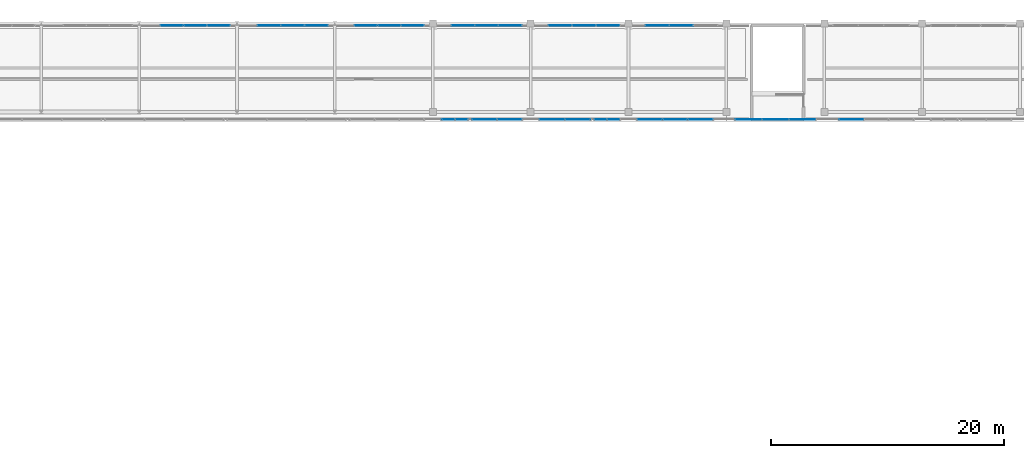
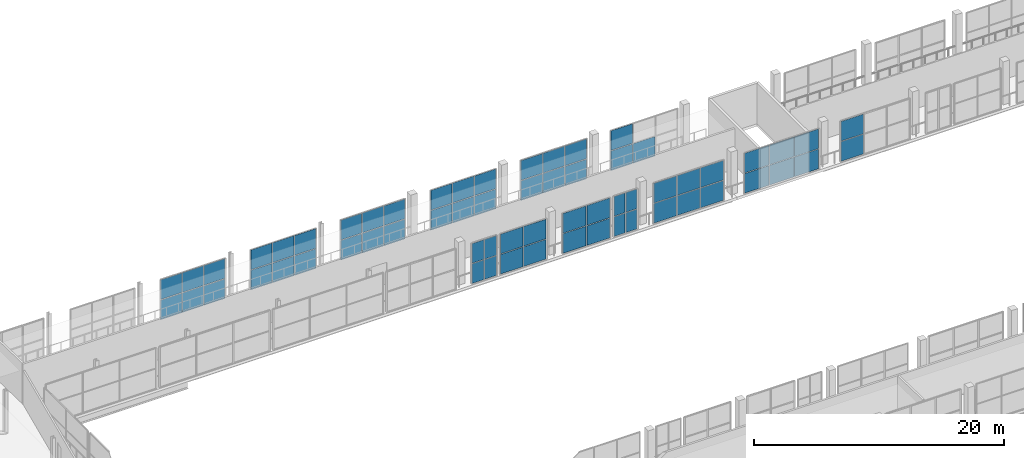
# One storey, part 118 of 151: 63 plates, 13 elements without a shape of their own.
"""IFC4 building model written with IfcOpenShell, lengths in metres."""

from ifc_helpers import new_model, si_unit, direction, frame, origin, origin_2d, place, context, subcontext, project, spatial, rectangle, extrude, material, layer, layer_set, type_object, element, aggregate, save


model = new_model("IFC4")

# Units and contexts
model_context = context("Model", 3, precision=1e-05, world=origin(), true_north=direction((0.0, 1.0)))
body_context = subcontext(model_context, "Body", "Model", "MODEL_VIEW")
ifc_project = project(units=[si_unit("LENGTHUNIT", "METRE"), si_unit("AREAUNIT", "SQUARE_METRE"), si_unit("VOLUMEUNIT", "CUBIC_METRE"), si_unit("PLANEANGLEUNIT", "RADIAN"), si_unit("MASSUNIT", "GRAM", prefix="KILO")], contexts=[model_context])

# Site, building, storey
site_placement = place(None, origin())
site = spatial("IfcSite", under=ifc_project, at=site_placement, CompositionType="ELEMENT")
building_placement = place(site_placement, origin())
building = spatial("IfcBuilding", under=site, at=building_placement, Name="Zuvorla Pavilion Media Centre", CompositionType="ELEMENT")
storey_placement = place(building_placement, frame((0.0, 0.0, 13.800048828125)))
storey = spatial("IfcBuildingStorey", under=building, at=storey_placement, Name="L03", CompositionType="ELEMENT", Elevation=13.800048828125)

# Curtain wall, plates
ifc_material_1 = material(Name="Unitised anodised aluminium and solar glass curtain wall", Category="aluminium")
curtain_wall_type_1 = type_object("IfcCurtainWallType", Name="CW-SYS-64", PredefinedType="USERDEFINED", material=ifc_material_1)
curtain_wall_1_placement = place(storey_placement, origin())
curtain_wall_1 = element("IfcCurtainWall", 1, at=curtain_wall_1_placement, inside=storey, type_object=curtain_wall_type_1, Name="L03 curtain wall CW64 115", ObjectType="CURTAIN WALL", PredefinedType="USERDEFINED")
ifc_material_2 = material(Name="Solar control double glazing", Category="glass")
ifc_layer_1 = layer(ifc_material_2, 0.028076171875)
ifc_layer_set_1 = layer_set([ifc_layer_1], Name="Solar control double glazing")
plate_type_1 = type_object("IfcPlateType", Name="CW-PNL-28", PredefinedType="CURTAIN_PANEL", material=ifc_layer_set_1)
plate_1_placement = place(storey_placement, frame((73.44384765625, 89.43994140625, 0.030029296875), z_axis=(0.0, 0.0, 1.0), x_axis=(-1.0, 0.0, 0.0)))
plate_1 = element("IfcPlate", 2, at=plate_1_placement, type_object=plate_type_1, Name="CW64 panel 1.1", PredefinedType="CURTAIN_PANEL", context=body_context, shape_type="SweptSolid", body=[
    extrude(rectangle(XDim=1.963623046875, YDim=0.028076171875, at=origin_2d()), origin(), (0.0, 0.0, 1.0), 1.919921875),
])
plate_2_placement = place(storey_placement, frame((73.44384765625, 89.43994140625, 2.010009765625), z_axis=(0.0, 0.0, 1.0), x_axis=(-1.0, 0.0, 0.0)))
plate_2 = element("IfcPlate", 3, at=plate_2_placement, type_object=plate_type_1, Name="CW64 panel 1.2", PredefinedType="CURTAIN_PANEL", context=body_context, shape_type="SweptSolid", body=[
    extrude(rectangle(XDim=1.963623046875, YDim=0.028076171875, at=origin_2d()), origin(), (0.0, 0.0, 1.0), 1.919921875),
])
plate_3_placement = place(storey_placement, frame((71.42041015625, 89.43994140625, 0.030029296875), z_axis=(0.0, 0.0, 1.0), x_axis=(-1.0, 0.0, 0.0)))
plate_3 = element("IfcPlate", 4, at=plate_3_placement, type_object=plate_type_1, Name="CW64 panel 2.1", PredefinedType="CURTAIN_PANEL", context=body_context, shape_type="SweptSolid", body=[
    extrude(rectangle(XDim=1.963623046875, YDim=0.028076171875, at=origin_2d()), origin(), (0.0, 0.0, 1.0), 1.919921875),
])
plate_4_placement = place(storey_placement, frame((71.42041015625, 89.43994140625, 2.010009765625), z_axis=(0.0, 0.0, 1.0), x_axis=(-1.0, 0.0, 0.0)))
plate_4 = element("IfcPlate", 5, at=plate_4_placement, type_object=plate_type_1, Name="CW64 panel 2.2", PredefinedType="CURTAIN_PANEL", context=body_context, shape_type="SweptSolid", body=[
    extrude(rectangle(XDim=1.963623046875, YDim=0.028076171875, at=origin_2d()), origin(), (0.0, 0.0, 1.0), 1.919921875),
])
plate_5_placement = place(storey_placement, frame((69.396728515625, 89.43994140625, 0.030029296875), z_axis=(0.0, 0.0, 1.0), x_axis=(-1.0, 0.0, 0.0)))
plate_5 = element("IfcPlate", 6, at=plate_5_placement, type_object=plate_type_1, Name="CW64 panel 3.1", PredefinedType="CURTAIN_PANEL", context=body_context, shape_type="SweptSolid", body=[
    extrude(rectangle(XDim=1.963623046875, YDim=0.028076171875, at=origin_2d()), origin(), (0.0, 0.0, 1.0), 1.919921875),
])
plate_6_placement = place(storey_placement, frame((69.396728515625, 89.43994140625, 2.010009765625), z_axis=(0.0, 0.0, 1.0), x_axis=(-1.0, 0.0, 0.0)))
plate_6 = element("IfcPlate", 7, at=plate_6_placement, type_object=plate_type_1, Name="CW64 panel 3.2", PredefinedType="CURTAIN_PANEL", context=body_context, shape_type="SweptSolid", body=[
    extrude(rectangle(XDim=1.963623046875, YDim=0.028076171875, at=origin_2d()), origin(), (0.0, 0.0, 1.0), 1.919921875),
])
aggregate(curtain_wall_1, [plate_1, plate_2, plate_3, plate_4, plate_5, plate_6])

curtain_wall_type_2 = type_object("IfcCurtainWallType", Name="CW-SYS-66", PredefinedType="USERDEFINED", material=ifc_material_1)
curtain_wall_2_placement = place(storey_placement, origin())
curtain_wall_2 = element("IfcCurtainWall", 8, at=curtain_wall_2_placement, inside=storey, type_object=curtain_wall_type_2, Name="L03 curtain wall CW66 118", ObjectType="CURTAIN WALL", PredefinedType="USERDEFINED")
plate_7_placement = place(storey_placement, frame((48.416748046875, 89.43994140625, 0.030029296875), z_axis=(0.0, 0.0, 1.0), x_axis=(-1.0, 0.0, 0.0)))
plate_7 = element("IfcPlate", 9, at=plate_7_placement, type_object=plate_type_1, Name="CW66 panel 1.1", PredefinedType="CURTAIN_PANEL", context=body_context, shape_type="SweptSolid", body=[
    extrude(rectangle(XDim=1.942626953125, YDim=0.028076171875, at=origin_2d()), origin(), (0.0, 0.0, 1.0), 1.919921875),
])
plate_8_placement = place(storey_placement, frame((48.416748046875, 89.43994140625, 2.010009765625), z_axis=(0.0, 0.0, 1.0), x_axis=(-1.0, 0.0, 0.0)))
plate_8 = element("IfcPlate", 10, at=plate_8_placement, type_object=plate_type_1, Name="CW66 panel 1.2", PredefinedType="CURTAIN_PANEL", context=body_context, shape_type="SweptSolid", body=[
    extrude(rectangle(XDim=1.942626953125, YDim=0.028076171875, at=origin_2d()), origin(), (0.0, 0.0, 1.0), 1.919921875),
])
plate_9_placement = place(storey_placement, frame((46.4140625, 89.43994140625, 0.030029296875), z_axis=(0.0, 0.0, 1.0), x_axis=(-1.0, 0.0, 0.0)))
plate_9 = element("IfcPlate", 11, at=plate_9_placement, type_object=plate_type_1, Name="CW66 panel 2.1", PredefinedType="CURTAIN_PANEL", context=body_context, shape_type="SweptSolid", body=[
    extrude(rectangle(XDim=1.942626953125, YDim=0.028076171875, at=origin_2d()), origin(), (0.0, 0.0, 1.0), 1.919921875),
])
plate_10_placement = place(storey_placement, frame((46.4140625, 89.43994140625, 2.010009765625), z_axis=(0.0, 0.0, 1.0), x_axis=(-1.0, 0.0, 0.0)))
plate_10 = element("IfcPlate", 12, at=plate_10_placement, type_object=plate_type_1, Name="CW66 panel 2.2", PredefinedType="CURTAIN_PANEL", context=body_context, shape_type="SweptSolid", body=[
    extrude(rectangle(XDim=1.942626953125, YDim=0.028076171875, at=origin_2d()), origin(), (0.0, 0.0, 1.0), 1.919921875),
])
plate_11_placement = place(storey_placement, frame((44.411376953125, 89.43994140625, 0.030029296875), z_axis=(0.0, 0.0, 1.0), x_axis=(-1.0, 0.0, 0.0)))
plate_11 = element("IfcPlate", 13, at=plate_11_placement, type_object=plate_type_1, Name="CW66 panel 3.1", PredefinedType="CURTAIN_PANEL", context=body_context, shape_type="SweptSolid", body=[
    extrude(rectangle(XDim=1.942626953125, YDim=0.028076171875, at=origin_2d()), origin(), (0.0, 0.0, 1.0), 1.919921875),
])
plate_12_placement = place(storey_placement, frame((44.411376953125, 89.43994140625, 2.010009765625), z_axis=(0.0, 0.0, 1.0), x_axis=(-1.0, 0.0, 0.0)))
plate_12 = element("IfcPlate", 14, at=plate_12_placement, type_object=plate_type_1, Name="CW66 panel 3.2", PredefinedType="CURTAIN_PANEL", context=body_context, shape_type="SweptSolid", body=[
    extrude(rectangle(XDim=1.942626953125, YDim=0.028076171875, at=origin_2d()), origin(), (0.0, 0.0, 1.0), 1.919921875),
])
aggregate(curtain_wall_2, [plate_7, plate_8, plate_9, plate_10, plate_11, plate_12])

curtain_wall_type_3 = type_object("IfcCurtainWallType", Name="CW-SYS-81", PredefinedType="USERDEFINED", material=ifc_material_1)
curtain_wall_3_placement = place(storey_placement, origin())
curtain_wall_3 = element("IfcCurtainWall", 15, at=curtain_wall_3_placement, inside=storey, type_object=curtain_wall_type_3, Name="L03 curtain wall CW81 166", ObjectType="CURTAIN WALL", PredefinedType="USERDEFINED")
plate_13_placement = place(storey_placement, frame((89.75732421875, 81.360107421875, 0.030029296875), z_axis=(0.0, 0.0, 1.0), x_axis=(-1.0, 0.0, 0.0)))
plate_13 = element("IfcPlate", 16, at=plate_13_placement, type_object=plate_type_1, Name="CW81 panel 1.1", PredefinedType="CURTAIN_PANEL", context=body_context, shape_type="SweptSolid", body=[
    extrude(rectangle(XDim=2.105224609375, YDim=0.028076171875, at=origin_2d()), origin(), (0.0, 0.0, 1.0), 1.919921875),
])
plate_14_placement = place(storey_placement, frame((89.75732421875, 81.360107421875, 2.010009765625), z_axis=(0.0, 0.0, 1.0), x_axis=(-1.0, 0.0, 0.0)))
plate_14 = element("IfcPlate", 17, at=plate_14_placement, type_object=plate_type_1, Name="CW81 panel 1.2", PredefinedType="CURTAIN_PANEL", context=body_context, shape_type="SweptSolid", body=[
    extrude(rectangle(XDim=2.105224609375, YDim=0.028076171875, at=origin_2d()), origin(), (0.0, 0.0, 1.0), 1.919921875),
])
plate_15_placement = place(storey_placement, frame((87.592041015625, 81.360107421875, 0.030029296875), z_axis=(0.0, 0.0, 1.0), x_axis=(-1.0, 0.0, 0.0)))
plate_15 = element("IfcPlate", 18, at=plate_15_placement, type_object=plate_type_1, Name="CW81 panel 2.1", PredefinedType="CURTAIN_PANEL", context=body_context, shape_type="SweptSolid", body=[
    extrude(rectangle(XDim=2.105224609375, YDim=0.028076171875, at=origin_2d()), origin(), (0.0, 0.0, 1.0), 1.919921875),
])
plate_16_placement = place(storey_placement, frame((87.592041015625, 81.360107421875, 2.010009765625), z_axis=(0.0, 0.0, 1.0), x_axis=(-1.0, 0.0, 0.0)))
plate_16 = element("IfcPlate", 19, at=plate_16_placement, type_object=plate_type_1, Name="CW81 panel 2.2", PredefinedType="CURTAIN_PANEL", context=body_context, shape_type="SweptSolid", body=[
    extrude(rectangle(XDim=2.105224609375, YDim=0.028076171875, at=origin_2d()), origin(), (0.0, 0.0, 1.0), 1.919921875),
])
plate_17_placement = place(storey_placement, frame((85.427001953125, 81.360107421875, 0.030029296875), z_axis=(0.0, 0.0, 1.0), x_axis=(-1.0, 0.0, 0.0)))
plate_17 = element("IfcPlate", 20, at=plate_17_placement, type_object=plate_type_1, Name="CW81 panel 3.1", PredefinedType="CURTAIN_PANEL", context=body_context, shape_type="SweptSolid", body=[
    extrude(rectangle(XDim=2.105224609375, YDim=0.028076171875, at=origin_2d()), origin(), (0.0, 0.0, 1.0), 1.919921875),
])
plate_18_placement = place(storey_placement, frame((85.427001953125, 81.360107421875, 2.010009765625), z_axis=(0.0, 0.0, 1.0), x_axis=(-1.0, 0.0, 0.0)))
plate_18 = element("IfcPlate", 21, at=plate_18_placement, type_object=plate_type_1, Name="CW81 panel 3.2", PredefinedType="CURTAIN_PANEL", context=body_context, shape_type="SweptSolid", body=[
    extrude(rectangle(XDim=2.105224609375, YDim=0.028076171875, at=origin_2d()), origin(), (0.0, 0.0, 1.0), 1.919921875),
])
aggregate(curtain_wall_3, [plate_13, plate_14, plate_15, plate_16, plate_17, plate_18])

curtain_wall_type_4 = type_object("IfcCurtainWallType", Name="CW-SYS-37", PredefinedType="USERDEFINED", material=ifc_material_1)
curtain_wall_4_placement = place(storey_placement, origin())
curtain_wall_4 = element("IfcCurtainWall", 22, at=curtain_wall_4_placement, inside=storey, type_object=curtain_wall_type_4, Name="L03 curtain wall CW37 167", ObjectType="CURTAIN WALL", PredefinedType="USERDEFINED")
plate_19_placement = place(storey_placement, frame((82.306884765625, 81.360107421875, 0.030029296875), z_axis=(0.0, 0.0, 1.0), x_axis=(-1.0, 0.0, 0.0)))
plate_19 = element("IfcPlate", 23, at=plate_19_placement, type_object=plate_type_1, Name="CW37 panel 1.1", PredefinedType="CURTAIN_PANEL", context=body_context, shape_type="SweptSolid", body=[
    extrude(rectangle(XDim=1.037841796875, YDim=0.028076171875, at=origin_2d()), origin(), (0.0, 0.0, 1.0), 1.919921875),
])
plate_20_placement = place(storey_placement, frame((82.306884765625, 81.360107421875, 2.010009765625), z_axis=(0.0, 0.0, 1.0), x_axis=(-1.0, 0.0, 0.0)))
plate_20 = element("IfcPlate", 24, at=plate_20_placement, type_object=plate_type_1, Name="CW37 panel 1.2", PredefinedType="CURTAIN_PANEL", context=body_context, shape_type="SweptSolid", body=[
    extrude(rectangle(XDim=1.037841796875, YDim=0.028076171875, at=origin_2d()), origin(), (0.0, 0.0, 1.0), 1.919921875),
])
plate_21_placement = place(storey_placement, frame((81.208984375, 81.360107421875, 0.030029296875), z_axis=(0.0, 0.0, 1.0), x_axis=(-1.0, 0.0, 0.0)))
plate_21 = element("IfcPlate", 25, at=plate_21_placement, type_object=plate_type_1, Name="CW37 panel 2.1", PredefinedType="CURTAIN_PANEL", context=body_context, shape_type="SweptSolid", body=[
    extrude(rectangle(XDim=1.037841796875, YDim=0.028076171875, at=origin_2d()), origin(), (0.0, 0.0, 1.0), 1.919921875),
])
plate_22_placement = place(storey_placement, frame((81.208984375, 81.360107421875, 2.010009765625), z_axis=(0.0, 0.0, 1.0), x_axis=(-1.0, 0.0, 0.0)))
plate_22 = element("IfcPlate", 26, at=plate_22_placement, type_object=plate_type_1, Name="CW37 panel 2.2", PredefinedType="CURTAIN_PANEL", context=body_context, shape_type="SweptSolid", body=[
    extrude(rectangle(XDim=1.037841796875, YDim=0.028076171875, at=origin_2d()), origin(), (0.0, 0.0, 1.0), 1.919921875),
])
aggregate(curtain_wall_4, [plate_19, plate_20, plate_21, plate_22])

curtain_wall_type_5 = type_object("IfcCurtainWallType", Name="CW-SYS-20", PredefinedType="USERDEFINED", material=ifc_material_1)
curtain_wall_5_placement = place(storey_placement, origin())
curtain_wall_5 = element("IfcCurtainWall", 27, at=curtain_wall_5_placement, inside=storey, type_object=curtain_wall_type_5, Name="L03 curtain wall CW20 113", ObjectType="CURTAIN WALL", PredefinedType="USERDEFINED")
ifc_material_3 = material(Name="Acoustic laminated solar glazing", Category="glass")
ifc_layer_2 = layer(ifc_material_3, 0.033935546875)
ifc_layer_set_2 = layer_set([ifc_layer_2], Name="Acoustic laminated solar glazing")
plate_type_2 = type_object("IfcPlateType", Name="CW-PNL-34", PredefinedType="CURTAIN_PANEL", material=ifc_layer_set_2)
plate_23_placement = place(storey_placement, frame((88.145263671875, 89.43994140625, 0.030029296875), z_axis=(0.0, 0.0, 1.0), x_axis=(-1.0, 0.0, 0.0)))
plate_23 = element("IfcPlate", 28, at=plate_23_placement, type_object=plate_type_2, Name="CW20 panel 2.1", PredefinedType="CURTAIN_PANEL", context=body_context, shape_type="SweptSolid", body=[
    extrude(rectangle(XDim=2.013671875, YDim=0.033935546875, at=origin_2d()), origin(), (0.0, 0.0, 1.0), 1.919921875),
])
plate_24_placement = place(storey_placement, frame((86.07177734375, 89.43994140625, 0.030029296875), z_axis=(0.0, 0.0, 1.0), x_axis=(-1.0, 0.0, 0.0)))
plate_24 = element("IfcPlate", 29, at=plate_24_placement, type_object=plate_type_2, Name="CW20 panel 3.1", PredefinedType="CURTAIN_PANEL", context=body_context, shape_type="SweptSolid", body=[
    extrude(rectangle(XDim=2.013671875, YDim=0.033935546875, at=origin_2d()), origin(), (0.0, 0.0, 1.0), 1.919921875),
])
plate_25_placement = place(storey_placement, frame((86.07177734375, 89.43994140625, 2.010009765625), z_axis=(0.0, 0.0, 1.0), x_axis=(-1.0, 0.0, 0.0)))
plate_25 = element("IfcPlate", 30, at=plate_25_placement, type_object=plate_type_2, Name="CW20 panel 3.2", PredefinedType="CURTAIN_PANEL", context=body_context, shape_type="SweptSolid", body=[
    extrude(rectangle(XDim=2.013671875, YDim=0.033935546875, at=origin_2d()), origin(), (0.0, 0.0, 1.0), 1.919921875),
])
aggregate(curtain_wall_5, [plate_23, plate_24, plate_25])

curtain_wall_type_6 = type_object("IfcCurtainWallType", Name="CW-SYS-08", PredefinedType="USERDEFINED", material=ifc_material_1)
curtain_wall_6_placement = place(storey_placement, origin())
curtain_wall_6 = element("IfcCurtainWall", 31, at=curtain_wall_6_placement, inside=storey, type_object=curtain_wall_type_6, Name="L03 curtain wall CW08 116", ObjectType="CURTAIN WALL", PredefinedType="USERDEFINED")
plate_26_placement = place(storey_placement, frame((65.056396484375, 89.43994140625, 0.030029296875), z_axis=(0.0, 0.0, 1.0), x_axis=(-1.0, 0.0, 0.0)))
plate_26 = element("IfcPlate", 32, at=plate_26_placement, type_object=plate_type_2, Name="CW08 panel 1.1", PredefinedType="CURTAIN_PANEL", context=body_context, shape_type="SweptSolid", body=[
    extrude(rectangle(XDim=1.9384765625, YDim=0.033935546875, at=origin_2d()), origin(), (0.0, 0.0, 1.0), 1.919921875),
])
plate_27_placement = place(storey_placement, frame((65.056396484375, 89.43994140625, 2.010009765625), z_axis=(0.0, 0.0, 1.0), x_axis=(-1.0, 0.0, 0.0)))
plate_27 = element("IfcPlate", 33, at=plate_27_placement, type_object=plate_type_2, Name="CW08 panel 1.2", PredefinedType="CURTAIN_PANEL", context=body_context, shape_type="SweptSolid", body=[
    extrude(rectangle(XDim=1.9384765625, YDim=0.033935546875, at=origin_2d()), origin(), (0.0, 0.0, 1.0), 1.919921875),
])
plate_28_placement = place(storey_placement, frame((63.057861328125, 89.43994140625, 0.030029296875), z_axis=(0.0, 0.0, 1.0), x_axis=(-1.0, 0.0, 0.0)))
plate_28 = element("IfcPlate", 34, at=plate_28_placement, type_object=plate_type_2, Name="CW08 panel 2.1", PredefinedType="CURTAIN_PANEL", context=body_context, shape_type="SweptSolid", body=[
    extrude(rectangle(XDim=1.9384765625, YDim=0.033935546875, at=origin_2d()), origin(), (0.0, 0.0, 1.0), 1.919921875),
])
plate_29_placement = place(storey_placement, frame((63.057861328125, 89.43994140625, 2.010009765625), z_axis=(0.0, 0.0, 1.0), x_axis=(-1.0, 0.0, 0.0)))
plate_29 = element("IfcPlate", 35, at=plate_29_placement, type_object=plate_type_2, Name="CW08 panel 2.2", PredefinedType="CURTAIN_PANEL", context=body_context, shape_type="SweptSolid", body=[
    extrude(rectangle(XDim=1.9384765625, YDim=0.033935546875, at=origin_2d()), origin(), (0.0, 0.0, 1.0), 1.919921875),
])
plate_30_placement = place(storey_placement, frame((61.059326171875, 89.43994140625, 0.030029296875), z_axis=(0.0, 0.0, 1.0), x_axis=(-1.0, 0.0, 0.0)))
plate_30 = element("IfcPlate", 36, at=plate_30_placement, type_object=plate_type_2, Name="CW08 panel 3.1", PredefinedType="CURTAIN_PANEL", context=body_context, shape_type="SweptSolid", body=[
    extrude(rectangle(XDim=1.9384765625, YDim=0.033935546875, at=origin_2d()), origin(), (0.0, 0.0, 1.0), 1.919921875),
])
plate_31_placement = place(storey_placement, frame((61.059326171875, 89.43994140625, 2.010009765625), z_axis=(0.0, 0.0, 1.0), x_axis=(-1.0, 0.0, 0.0)))
plate_31 = element("IfcPlate", 37, at=plate_31_placement, type_object=plate_type_2, Name="CW08 panel 3.2", PredefinedType="CURTAIN_PANEL", context=body_context, shape_type="SweptSolid", body=[
    extrude(rectangle(XDim=1.9384765625, YDim=0.033935546875, at=origin_2d()), origin(), (0.0, 0.0, 1.0), 1.919921875),
])
aggregate(curtain_wall_6, [plate_26, plate_27, plate_28, plate_29, plate_30, plate_31])

curtain_wall_type_7 = type_object("IfcCurtainWallType", Name="CW-SYS-76", PredefinedType="USERDEFINED", material=ifc_material_1)
curtain_wall_7_placement = place(storey_placement, origin())
curtain_wall_7 = element("IfcCurtainWall", 38, at=curtain_wall_7_placement, inside=storey, type_object=curtain_wall_type_7, Name="L03 curtain wall CW76 158", ObjectType="CURTAIN WALL", PredefinedType="USERDEFINED")
plate_32_placement = place(storey_placement, frame((69.26611328125, 81.360107421875, 0.030029296875), z_axis=(0.0, 0.0, 1.0), x_axis=(-1.0, 0.0, 0.0)))
plate_32 = element("IfcPlate", 39, at=plate_32_placement, type_object=plate_type_2, Name="CW76 panel 1.1", PredefinedType="CURTAIN_PANEL", context=body_context, shape_type="SweptSolid", body=[
    extrude(rectangle(XDim=1.087890625, YDim=0.033935546875, at=origin_2d()), origin(), (0.0, 0.0, 1.0), 1.919921875),
])
plate_33_placement = place(storey_placement, frame((69.26611328125, 81.360107421875, 2.010009765625), z_axis=(0.0, 0.0, 1.0), x_axis=(-1.0, 0.0, 0.0)))
plate_33 = element("IfcPlate", 40, at=plate_33_placement, type_object=plate_type_2, Name="CW76 panel 1.2", PredefinedType="CURTAIN_PANEL", context=body_context, shape_type="SweptSolid", body=[
    extrude(rectangle(XDim=1.087890625, YDim=0.033935546875, at=origin_2d()), origin(), (0.0, 0.0, 1.0), 1.919921875),
])
plate_34_placement = place(storey_placement, frame((68.1181640625, 81.360107421875, 0.030029296875), z_axis=(0.0, 0.0, 1.0), x_axis=(-1.0, 0.0, 0.0)))
plate_34 = element("IfcPlate", 41, at=plate_34_placement, type_object=plate_type_2, Name="CW76 panel 2.1", PredefinedType="CURTAIN_PANEL", context=body_context, shape_type="SweptSolid", body=[
    extrude(rectangle(XDim=1.087890625, YDim=0.033935546875, at=origin_2d()), origin(), (0.0, 0.0, 1.0), 1.919921875),
])
plate_35_placement = place(storey_placement, frame((68.1181640625, 81.360107421875, 2.010009765625), z_axis=(0.0, 0.0, 1.0), x_axis=(-1.0, 0.0, 0.0)))
plate_35 = element("IfcPlate", 42, at=plate_35_placement, type_object=plate_type_2, Name="CW76 panel 2.2", PredefinedType="CURTAIN_PANEL", context=body_context, shape_type="SweptSolid", body=[
    extrude(rectangle(XDim=1.087890625, YDim=0.033935546875, at=origin_2d()), origin(), (0.0, 0.0, 1.0), 1.919921875),
])
aggregate(curtain_wall_7, [plate_32, plate_33, plate_34, plate_35])

curtain_wall_type_8 = type_object("IfcCurtainWallType", Name="CW-SYS-70", PredefinedType="USERDEFINED", material=ifc_material_1)
curtain_wall_8_placement = place(storey_placement, origin())
curtain_wall_8 = element("IfcCurtainWall", 43, at=curtain_wall_8_placement, inside=storey, type_object=curtain_wall_type_8, Name="L03 curtain wall CW70 169", ObjectType="CURTAIN WALL", PredefinedType="USERDEFINED")
plate_36_placement = place(storey_placement, frame((98.50390625, 81.360107421875, 0.030029296875), z_axis=(0.0, 0.0, 1.0), x_axis=(-1.0, 0.0, 0.0)))
plate_36 = element("IfcPlate", 44, at=plate_36_placement, type_object=plate_type_2, Name="CW70 panel 1.1", PredefinedType="CURTAIN_PANEL", context=body_context, shape_type="SweptSolid", body=[
    extrude(rectangle(XDim=2.243896484375, YDim=0.033935546875, at=origin_2d()), origin(), (0.0, 0.0, 1.0), 1.919921875),
])
plate_37_placement = place(storey_placement, frame((98.50390625, 81.360107421875, 2.010009765625), z_axis=(0.0, 0.0, 1.0), x_axis=(-1.0, 0.0, 0.0)))
plate_37 = element("IfcPlate", 45, at=plate_37_placement, type_object=plate_type_2, Name="CW70 panel 1.2", PredefinedType="CURTAIN_PANEL", context=body_context, shape_type="SweptSolid", body=[
    extrude(rectangle(XDim=2.243896484375, YDim=0.033935546875, at=origin_2d()), origin(), (0.0, 0.0, 1.0), 1.919921875),
])
plate_38_placement = place(storey_placement, frame((96.199951171875, 81.360107421875, 0.030029296875), z_axis=(0.0, 0.0, 1.0), x_axis=(-1.0, 0.0, 0.0)))
plate_38 = element("IfcPlate", 46, at=plate_38_placement, type_object=plate_type_2, Name="CW70 panel 2.1", PredefinedType="CURTAIN_PANEL", context=body_context, shape_type="SweptSolid", body=[
    extrude(rectangle(XDim=2.243896484375, YDim=0.033935546875, at=origin_2d()), origin(), (0.0, 0.0, 1.0), 1.919921875),
])
plate_39_placement = place(storey_placement, frame((96.199951171875, 81.360107421875, 2.010009765625), z_axis=(0.0, 0.0, 1.0), x_axis=(-1.0, 0.0, 0.0)))
plate_39 = element("IfcPlate", 47, at=plate_39_placement, type_object=plate_type_2, Name="CW70 panel 2.2", PredefinedType="CURTAIN_PANEL", context=body_context, shape_type="SweptSolid", body=[
    extrude(rectangle(XDim=2.243896484375, YDim=0.033935546875, at=origin_2d()), origin(), (0.0, 0.0, 1.0), 1.919921875),
])
plate_40_placement = place(storey_placement, frame((93.896240234375, 81.360107421875, 0.030029296875), z_axis=(0.0, 0.0, 1.0), x_axis=(-1.0, 0.0, 0.0)))
plate_40 = element("IfcPlate", 48, at=plate_40_placement, type_object=plate_type_2, Name="CW70 panel 3.1", PredefinedType="CURTAIN_PANEL", context=body_context, shape_type="SweptSolid", body=[
    extrude(rectangle(XDim=2.243896484375, YDim=0.033935546875, at=origin_2d()), origin(), (0.0, 0.0, 1.0), 1.919921875),
])
plate_41_placement = place(storey_placement, frame((93.896240234375, 81.360107421875, 2.010009765625), z_axis=(0.0, 0.0, 1.0), x_axis=(-1.0, 0.0, 0.0)))
plate_41 = element("IfcPlate", 49, at=plate_41_placement, type_object=plate_type_2, Name="CW70 panel 3.2", PredefinedType="CURTAIN_PANEL", context=body_context, shape_type="SweptSolid", body=[
    extrude(rectangle(XDim=2.243896484375, YDim=0.033935546875, at=origin_2d()), origin(), (0.0, 0.0, 1.0), 1.919921875),
])
aggregate(curtain_wall_8, [plate_36, plate_37, plate_38, plate_39, plate_40, plate_41])

curtain_wall_type_9 = type_object("IfcCurtainWallType", Name="CW-SYS-09", PredefinedType="USERDEFINED", material=ifc_material_1)
curtain_wall_9_placement = place(storey_placement, origin())
curtain_wall_9 = element("IfcCurtainWall", 50, at=curtain_wall_9_placement, inside=storey, type_object=curtain_wall_type_9, Name="L03 curtain wall CW09 114", ObjectType="CURTAIN WALL", PredefinedType="USERDEFINED")
ifc_material_4 = material(Name="Triple acoustic broadcast glazing", Category="glass")
ifc_layer_3 = layer(ifc_material_4, 0.0419921875)
ifc_layer_set_3 = layer_set([ifc_layer_3], Name="Triple acoustic broadcast glazing")
plate_type_3 = type_object("IfcPlateType", Name="CW-PNL-42", PredefinedType="CURTAIN_PANEL", material=ifc_layer_set_3)
plate_42_placement = place(storey_placement, frame((81.831298828125, 89.43994140625, 0.030029296875), z_axis=(0.0, 0.0, 1.0), x_axis=(-1.0, 0.0, 0.0)))
plate_42 = element("IfcPlate", 51, at=plate_42_placement, type_object=plate_type_3, Name="CW09 panel 1.1", PredefinedType="CURTAIN_PANEL", context=body_context, shape_type="SweptSolid", body=[
    extrude(rectangle(XDim=1.988525390625, YDim=0.0419921875, at=origin_2d()), origin(), (0.0, 0.0, 1.0), 1.919921875),
])
plate_43_placement = place(storey_placement, frame((81.831298828125, 89.43994140625, 2.010009765625), z_axis=(0.0, 0.0, 1.0), x_axis=(-1.0, 0.0, 0.0)))
plate_43 = element("IfcPlate", 52, at=plate_43_placement, type_object=plate_type_3, Name="CW09 panel 1.2", PredefinedType="CURTAIN_PANEL", context=body_context, shape_type="SweptSolid", body=[
    extrude(rectangle(XDim=1.988525390625, YDim=0.0419921875, at=origin_2d()), origin(), (0.0, 0.0, 1.0), 1.919921875),
])
plate_44_placement = place(storey_placement, frame((79.782958984375, 89.43994140625, 0.030029296875), z_axis=(0.0, 0.0, 1.0), x_axis=(-1.0, 0.0, 0.0)))
plate_44 = element("IfcPlate", 53, at=plate_44_placement, type_object=plate_type_3, Name="CW09 panel 2.1", PredefinedType="CURTAIN_PANEL", context=body_context, shape_type="SweptSolid", body=[
    extrude(rectangle(XDim=1.988525390625, YDim=0.0419921875, at=origin_2d()), origin(), (0.0, 0.0, 1.0), 1.919921875),
])
plate_45_placement = place(storey_placement, frame((79.782958984375, 89.43994140625, 2.010009765625), z_axis=(0.0, 0.0, 1.0), x_axis=(-1.0, 0.0, 0.0)))
plate_45 = element("IfcPlate", 54, at=plate_45_placement, type_object=plate_type_3, Name="CW09 panel 2.2", PredefinedType="CURTAIN_PANEL", context=body_context, shape_type="SweptSolid", body=[
    extrude(rectangle(XDim=1.988525390625, YDim=0.0419921875, at=origin_2d()), origin(), (0.0, 0.0, 1.0), 1.919921875),
])
plate_46_placement = place(storey_placement, frame((77.734375, 89.43994140625, 0.030029296875), z_axis=(0.0, 0.0, 1.0), x_axis=(-1.0, 0.0, 0.0)))
plate_46 = element("IfcPlate", 55, at=plate_46_placement, type_object=plate_type_3, Name="CW09 panel 3.1", PredefinedType="CURTAIN_PANEL", context=body_context, shape_type="SweptSolid", body=[
    extrude(rectangle(XDim=1.988525390625, YDim=0.0419921875, at=origin_2d()), origin(), (0.0, 0.0, 1.0), 1.919921875),
])
plate_47_placement = place(storey_placement, frame((77.734375, 89.43994140625, 2.010009765625), z_axis=(0.0, 0.0, 1.0), x_axis=(-1.0, 0.0, 0.0)))
plate_47 = element("IfcPlate", 56, at=plate_47_placement, type_object=plate_type_3, Name="CW09 panel 3.2", PredefinedType="CURTAIN_PANEL", context=body_context, shape_type="SweptSolid", body=[
    extrude(rectangle(XDim=1.988525390625, YDim=0.0419921875, at=origin_2d()), origin(), (0.0, 0.0, 1.0), 1.919921875),
])
aggregate(curtain_wall_9, [plate_42, plate_43, plate_44, plate_45, plate_46, plate_47])

curtain_wall_type_10 = type_object("IfcCurtainWallType", Name="CW-SYS-65", PredefinedType="USERDEFINED", material=ifc_material_1)
curtain_wall_10_placement = place(storey_placement, origin())
curtain_wall_10 = element("IfcCurtainWall", 57, at=curtain_wall_10_placement, inside=storey, type_object=curtain_wall_type_10, Name="L03 curtain wall CW65 117", ObjectType="CURTAIN WALL", PredefinedType="USERDEFINED")
plate_48_placement = place(storey_placement, frame((56.80419921875, 89.43994140625, 0.030029296875), z_axis=(0.0, 0.0, 1.0), x_axis=(-1.0, 0.0, 0.0)))
plate_48 = element("IfcPlate", 58, at=plate_48_placement, type_object=plate_type_3, Name="CW65 panel 1.1", PredefinedType="CURTAIN_PANEL", context=body_context, shape_type="SweptSolid", body=[
    extrude(rectangle(XDim=1.9677734375, YDim=0.0419921875, at=origin_2d()), origin(), (0.0, 0.0, 1.0), 1.919921875),
])
plate_49_placement = place(storey_placement, frame((56.80419921875, 89.43994140625, 2.010009765625), z_axis=(0.0, 0.0, 1.0), x_axis=(-1.0, 0.0, 0.0)))
plate_49 = element("IfcPlate", 59, at=plate_49_placement, type_object=plate_type_3, Name="CW65 panel 1.2", PredefinedType="CURTAIN_PANEL", context=body_context, shape_type="SweptSolid", body=[
    extrude(rectangle(XDim=1.9677734375, YDim=0.0419921875, at=origin_2d()), origin(), (0.0, 0.0, 1.0), 1.919921875),
])
plate_50_placement = place(storey_placement, frame((54.776611328125, 89.43994140625, 0.030029296875), z_axis=(0.0, 0.0, 1.0), x_axis=(-1.0, 0.0, 0.0)))
plate_50 = element("IfcPlate", 60, at=plate_50_placement, type_object=plate_type_3, Name="CW65 panel 2.1", PredefinedType="CURTAIN_PANEL", context=body_context, shape_type="SweptSolid", body=[
    extrude(rectangle(XDim=1.9677734375, YDim=0.0419921875, at=origin_2d()), origin(), (0.0, 0.0, 1.0), 1.919921875),
])
plate_51_placement = place(storey_placement, frame((54.776611328125, 89.43994140625, 2.010009765625), z_axis=(0.0, 0.0, 1.0), x_axis=(-1.0, 0.0, 0.0)))
plate_51 = element("IfcPlate", 61, at=plate_51_placement, type_object=plate_type_3, Name="CW65 panel 2.2", PredefinedType="CURTAIN_PANEL", context=body_context, shape_type="SweptSolid", body=[
    extrude(rectangle(XDim=1.9677734375, YDim=0.0419921875, at=origin_2d()), origin(), (0.0, 0.0, 1.0), 1.919921875),
])
plate_52_placement = place(storey_placement, frame((52.748779296875, 89.43994140625, 0.030029296875), z_axis=(0.0, 0.0, 1.0), x_axis=(-1.0, 0.0, 0.0)))
plate_52 = element("IfcPlate", 62, at=plate_52_placement, type_object=plate_type_3, Name="CW65 panel 3.1", PredefinedType="CURTAIN_PANEL", context=body_context, shape_type="SweptSolid", body=[
    extrude(rectangle(XDim=1.9677734375, YDim=0.0419921875, at=origin_2d()), origin(), (0.0, 0.0, 1.0), 1.919921875),
])
plate_53_placement = place(storey_placement, frame((52.748779296875, 89.43994140625, 2.010009765625), z_axis=(0.0, 0.0, 1.0), x_axis=(-1.0, 0.0, 0.0)))
plate_53 = element("IfcPlate", 63, at=plate_53_placement, type_object=plate_type_3, Name="CW65 panel 3.2", PredefinedType="CURTAIN_PANEL", context=body_context, shape_type="SweptSolid", body=[
    extrude(rectangle(XDim=1.9677734375, YDim=0.0419921875, at=origin_2d()), origin(), (0.0, 0.0, 1.0), 1.919921875),
])
aggregate(curtain_wall_10, [plate_48, plate_49, plate_50, plate_51, plate_52, plate_53])

curtain_wall_type_11 = type_object("IfcCurtainWallType", Name="CW-SYS-79", PredefinedType="USERDEFINED", material=ifc_material_1)
curtain_wall_11_placement = place(storey_placement, origin())
curtain_wall_11 = element("IfcCurtainWall", 64, at=curtain_wall_11_placement, inside=storey, type_object=curtain_wall_type_11, Name="L03 curtain wall CW79 162", ObjectType="CURTAIN WALL", PredefinedType="USERDEFINED")
plate_54_placement = place(storey_placement, frame((79.240966796875, 81.360107421875, 0.030029296875), z_axis=(0.0, 0.0, 1.0), x_axis=(-1.0, 0.0, 0.0)))
plate_54 = element("IfcPlate", 65, at=plate_54_placement, type_object=plate_type_3, Name="CW79 panel 1.1", PredefinedType="CURTAIN_PANEL", context=body_context, shape_type="SweptSolid", body=[
    extrude(rectangle(XDim=2.137939453125, YDim=0.0419921875, at=origin_2d()), origin(), (0.0, 0.0, 1.0), 1.919921875),
])
plate_55_placement = place(storey_placement, frame((79.240966796875, 81.360107421875, 2.010009765625), z_axis=(0.0, 0.0, 1.0), x_axis=(-1.0, 0.0, 0.0)))
plate_55 = element("IfcPlate", 66, at=plate_55_placement, type_object=plate_type_3, Name="CW79 panel 1.2", PredefinedType="CURTAIN_PANEL", context=body_context, shape_type="SweptSolid", body=[
    extrude(rectangle(XDim=2.137939453125, YDim=0.0419921875, at=origin_2d()), origin(), (0.0, 0.0, 1.0), 1.919921875),
])
plate_56_placement = place(storey_placement, frame((77.043212890625, 81.360107421875, 0.030029296875), z_axis=(0.0, 0.0, 1.0), x_axis=(-1.0, 0.0, 0.0)))
plate_56 = element("IfcPlate", 67, at=plate_56_placement, type_object=plate_type_3, Name="CW79 panel 2.1", PredefinedType="CURTAIN_PANEL", context=body_context, shape_type="SweptSolid", body=[
    extrude(rectangle(XDim=2.137939453125, YDim=0.0419921875, at=origin_2d()), origin(), (0.0, 0.0, 1.0), 1.919921875),
])
plate_57_placement = place(storey_placement, frame((77.043212890625, 81.360107421875, 2.010009765625), z_axis=(0.0, 0.0, 1.0), x_axis=(-1.0, 0.0, 0.0)))
plate_57 = element("IfcPlate", 68, at=plate_57_placement, type_object=plate_type_3, Name="CW79 panel 2.2", PredefinedType="CURTAIN_PANEL", context=body_context, shape_type="SweptSolid", body=[
    extrude(rectangle(XDim=2.137939453125, YDim=0.0419921875, at=origin_2d()), origin(), (0.0, 0.0, 1.0), 1.919921875),
])
aggregate(curtain_wall_11, [plate_54, plate_55, plate_56, plate_57])

curtain_wall_type_12 = type_object("IfcCurtainWallType", Name="CW-SYS-42", PredefinedType="USERDEFINED", material=ifc_material_1)
curtain_wall_12_placement = place(storey_placement, origin())
curtain_wall_12 = element("IfcCurtainWall", 69, at=curtain_wall_12_placement, inside=storey, type_object=curtain_wall_type_12, Name="L03 curtain wall CW42 163", ObjectType="CURTAIN WALL", PredefinedType="USERDEFINED")
plate_58_placement = place(storey_placement, frame((73.3818359375, 81.360107421875, 0.030029296875), z_axis=(0.0, 0.0, 1.0), x_axis=(-1.0, 0.0, 0.0)))
plate_58 = element("IfcPlate", 70, at=plate_58_placement, type_object=plate_type_3, Name="CW42 panel 1.1", PredefinedType="CURTAIN_PANEL", context=body_context, shape_type="SweptSolid", body=[
    extrude(rectangle(XDim=2.087890625, YDim=0.0419921875, at=origin_2d()), origin(), (0.0, 0.0, 1.0), 1.919921875),
])
plate_59_placement = place(storey_placement, frame((73.3818359375, 81.360107421875, 2.010009765625), z_axis=(0.0, 0.0, 1.0), x_axis=(-1.0, 0.0, 0.0)))
plate_59 = element("IfcPlate", 71, at=plate_59_placement, type_object=plate_type_3, Name="CW42 panel 1.2", PredefinedType="CURTAIN_PANEL", context=body_context, shape_type="SweptSolid", body=[
    extrude(rectangle(XDim=2.087890625, YDim=0.0419921875, at=origin_2d()), origin(), (0.0, 0.0, 1.0), 1.919921875),
])
plate_60_placement = place(storey_placement, frame((71.23388671875, 81.360107421875, 0.030029296875), z_axis=(0.0, 0.0, 1.0), x_axis=(-1.0, 0.0, 0.0)))
plate_60 = element("IfcPlate", 72, at=plate_60_placement, type_object=plate_type_3, Name="CW42 panel 2.1", PredefinedType="CURTAIN_PANEL", context=body_context, shape_type="SweptSolid", body=[
    extrude(rectangle(XDim=2.087890625, YDim=0.0419921875, at=origin_2d()), origin(), (0.0, 0.0, 1.0), 1.919921875),
])
plate_61_placement = place(storey_placement, frame((71.23388671875, 81.360107421875, 2.010009765625), z_axis=(0.0, 0.0, 1.0), x_axis=(-1.0, 0.0, 0.0)))
plate_61 = element("IfcPlate", 73, at=plate_61_placement, type_object=plate_type_3, Name="CW42 panel 2.2", PredefinedType="CURTAIN_PANEL", context=body_context, shape_type="SweptSolid", body=[
    extrude(rectangle(XDim=2.087890625, YDim=0.0419921875, at=origin_2d()), origin(), (0.0, 0.0, 1.0), 1.919921875),
])
aggregate(curtain_wall_12, [plate_58, plate_59, plate_60, plate_61])

curtain_wall_type_13 = type_object("IfcCurtainWallType", Name="CW-SYS-45", PredefinedType="USERDEFINED", material=ifc_material_1)
curtain_wall_13_placement = place(storey_placement, origin())
curtain_wall_13 = element("IfcCurtainWall", 74, at=curtain_wall_13_placement, inside=storey, type_object=curtain_wall_type_13, Name="L03 curtain wall CW45 173", ObjectType="CURTAIN WALL", PredefinedType="USERDEFINED")
plate_62_placement = place(storey_placement, frame((102.725830078125, 81.360107421875, 0.030029296875), z_axis=(0.0, 0.0, 1.0), x_axis=(-1.0, 0.0, 0.0)))
plate_62 = element("IfcPlate", 75, at=plate_62_placement, type_object=plate_type_3, Name="CW45 panel 3.1", PredefinedType="CURTAIN_PANEL", context=body_context, shape_type="SweptSolid", body=[
    extrude(rectangle(XDim=2.072021484375, YDim=0.0419921875, at=origin_2d()), origin(), (0.0, 0.0, 1.0), 1.919921875),
])
plate_63_placement = place(storey_placement, frame((102.725830078125, 81.360107421875, 2.010009765625), z_axis=(0.0, 0.0, 1.0), x_axis=(-1.0, 0.0, 0.0)))
plate_63 = element("IfcPlate", 76, at=plate_63_placement, type_object=plate_type_3, Name="CW45 panel 3.2", PredefinedType="CURTAIN_PANEL", context=body_context, shape_type="SweptSolid", body=[
    extrude(rectangle(XDim=2.072021484375, YDim=0.0419921875, at=origin_2d()), origin(), (0.0, 0.0, 1.0), 1.919921875),
])
aggregate(curtain_wall_13, [plate_62, plate_63])

save(model, "model.ifc")
